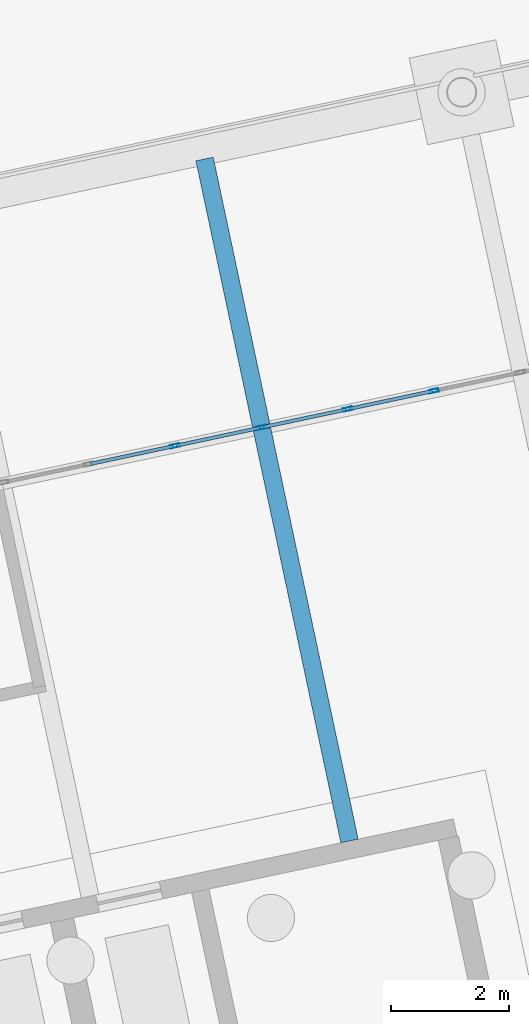
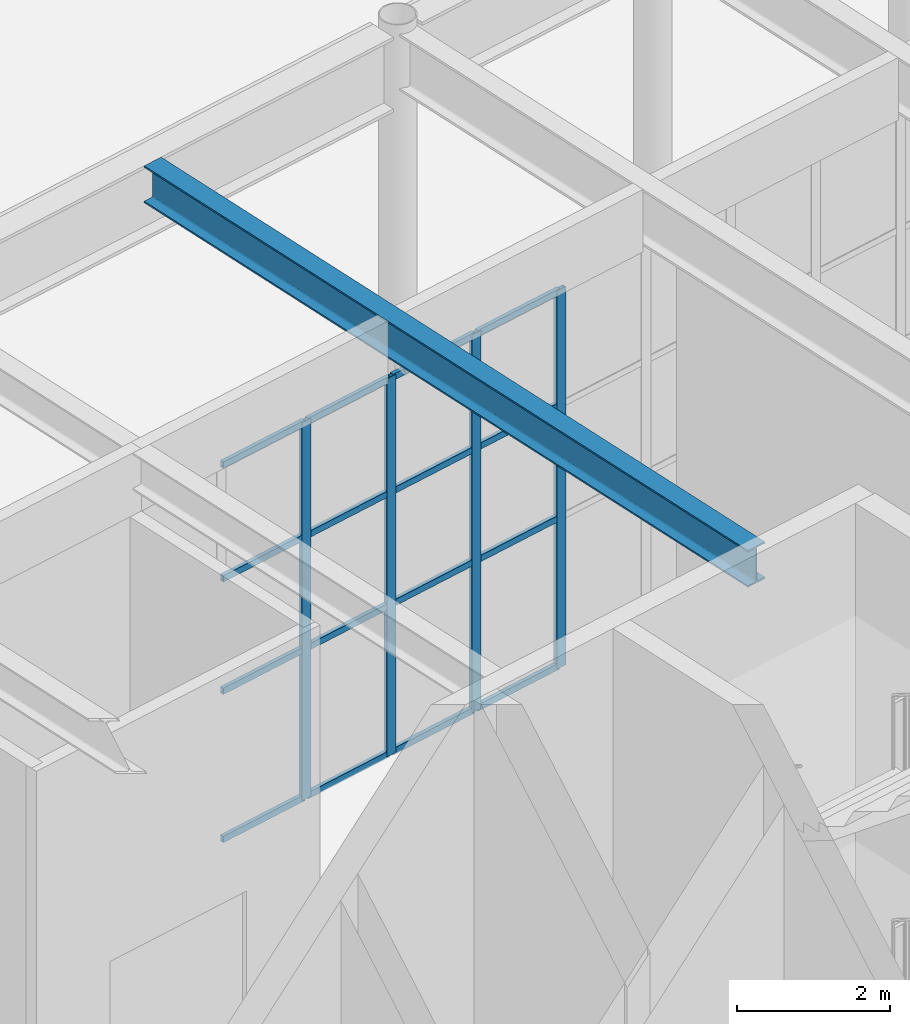
# One storey, part 55 of 239: 20 members, 1 beam, 1 element without a shape of its own.
"""IFC4 building model written with IfcOpenShell, lengths in metres."""

import ifcopenshell
import ifcopenshell.guid

model = None  # the IFC model being written
_history = None  # IfcOwnerHistory: only IFC2X3 demands one
_inside = {}  # id of a spatial element -> (the spatial element, [elements in it])
_under = {}  # id of a project, library or spatial element -> (it, [spatial elements below it])
_declared = {}  # id of a project -> (the project, [libraries it declares])
_typed = {}  # id of a type object -> (the type object, [elements of that type])
_made_of = {}  # id of a material, layer set ... -> (it, [elements and type objects made of it])


def new_model(schema):
    """Start an empty IFC model of exactly this schema.

    Asked for "IFC4X3", IfcOpenShell would pick the latest addendum, in which some entities
    have other attributes; the version numbers below select the first issue.
    IFC2X3 requires an IfcOwnerHistory on every rooted entity: one is made here for all.
    """
    global model, _history
    if schema == "IFC4X3":
        model = ifcopenshell.file(schema_version=(4, 3, 0, 0))
    else:
        model = ifcopenshell.file(schema=schema)
    _inside.clear()
    _under.clear()
    _declared.clear()
    _typed.clear()
    _made_of.clear()
    _history = None
    if model.schema == "IFC2X3":
        org = make("IfcOrganization", Name="unknown")
        user = make(
            "IfcPersonAndOrganization",
            ThePerson=make("IfcPerson", FamilyName="unknown"),
            TheOrganization=org,
        )
        app = make(
            "IfcApplication",
            ApplicationDeveloper=org,
            Version="unknown",
            ApplicationFullName="unknown",
            ApplicationIdentifier="unknown",
        )
        _history = make(
            "IfcOwnerHistory",
            OwningUser=user,
            OwningApplication=app,
            ChangeAction="ADDED",
            CreationDate=0,
        )
    return model


def make(cls, **values):
    """One entity of the class cls with the attributes given. An attribute that is None is left unset."""
    return model.create_entity(
        cls, **{name: value for name, value in values.items() if value is not None}
    )


def rooted(cls, **values):
    """An entity with a GlobalId (a new one), such as an element, a storey or a relation."""
    return make(cls, GlobalId=ifcopenshell.guid.new(), OwnerHistory=_history, **values)


def si_unit(unit_type, name, prefix=None):
    """IfcSIUnit, for example si_unit("LENGTHUNIT", "METRE", prefix="MILLI")."""
    return make("IfcSIUnit", UnitType=unit_type, Prefix=prefix, Name=name)


def assignment(units):
    """IfcUnitAssignment: the units of a project."""
    return None if units is None else make("IfcUnitAssignment", Units=units)


def point(xyz):
    """IfcCartesianPoint."""
    return None if xyz is None else make("IfcCartesianPoint", Coordinates=xyz)


def direction(xyz):
    """IfcDirection."""
    return None if xyz is None else make("IfcDirection", DirectionRatios=xyz)


def frame(location, z_axis=None, x_axis=None):
    """IfcAxis2Placement3D, a coordinate frame: its origin and axes. An axis left out is left unset."""
    return make(
        "IfcAxis2Placement3D",
        Location=point(location),
        Axis=direction(z_axis),
        RefDirection=direction(x_axis),
    )


def frame_2d(location, x_axis=None):
    """IfcAxis2Placement2D, a coordinate frame in the plane: its origin and x axis."""
    return make(
        "IfcAxis2Placement2D", Location=point(location), RefDirection=direction(x_axis)
    )


def origin():
    """The frame at (0, 0, 0) with its axes left unset."""
    return frame((0.0, 0.0, 0.0))


def origin_2d():
    """The frame at (0, 0) in the plane with its x axis left unset."""
    return frame_2d((0.0, 0.0))


def place(relative_to, where):
    """IfcLocalPlacement: puts the frame where relative to a parent placement (None: the world)."""
    return make(
        "IfcLocalPlacement", PlacementRelTo=relative_to, RelativePlacement=where
    )


def context(
    kind, dimensions, precision=None, world=None, true_north=None, identifier=None
):
    """IfcGeometricRepresentationContext, for example the 3D "Model" context."""
    return make(
        "IfcGeometricRepresentationContext",
        ContextIdentifier=identifier,
        ContextType=kind,
        CoordinateSpaceDimension=dimensions,
        Precision=precision,
        WorldCoordinateSystem=world,
        TrueNorth=true_north,
    )


def subcontext(parent, identifier, kind, view, scale=None):
    """IfcGeometricRepresentationSubContext, for example "Body" below "Model"."""
    return make(
        "IfcGeometricRepresentationSubContext",
        ContextIdentifier=identifier,
        ContextType=kind,
        ParentContext=parent,
        TargetScale=scale,
        TargetView=view,
    )


def project(units=None, contexts=None):
    """IfcProject with its units and contexts."""
    return rooted(
        "IfcProject",
        Name="project",
        RepresentationContexts=contexts,
        UnitsInContext=assignment(units),
    )


def spatial(cls, under=None, at=None, **own):
    """A site, building, storey or space (cls), placed at a placement, below another one or the project."""
    s = rooted(cls, ObjectPlacement=at, **own)
    if under is not None:
        _under.setdefault(under.id(), (under, []))[1].append(s)
    return s


def profile(cls, at=None, kind="AREA", **sizes):
    """A parametric profile (cls). Its sizes go by their IFC names, for example OverallWidth=200.0."""
    return make(cls, ProfileType=kind, Position=at, **sizes)


def hollow_rectangle(**sizes):
    """IfcRectangleHollowProfileDef."""
    return profile("IfcRectangleHollowProfileDef", **sizes)


def i_section(**sizes):
    """IfcIShapeProfileDef."""
    return profile("IfcIShapeProfileDef", **sizes)


def extrude(swept, where, along, depth):
    """IfcExtrudedAreaSolid: the profile swept, set in the frame where, extruded along a direction by depth."""
    return make(
        "IfcExtrudedAreaSolid",
        SweptArea=swept,
        Position=where,
        ExtrudedDirection=direction(along),
        Depth=depth,
    )


def shape(context_of_items, identifier, shape_type, items):
    """IfcShapeRepresentation: the items that make up one representation, for example the "Body"."""
    return make(
        "IfcShapeRepresentation",
        ContextOfItems=context_of_items,
        RepresentationIdentifier=identifier,
        RepresentationType=shape_type,
        Items=items,
    )


def material(Name=None, Category=None):
    """IfcMaterial."""
    return make("IfcMaterial", Name=Name, Category=Category)


def material_profile(
    of_material, cross_section, Name=None, Category=None, Priority=None
):
    """IfcMaterialProfile: a cross section and its material."""
    return make(
        "IfcMaterialProfile",
        Name=Name,
        Material=of_material,
        Profile=cross_section,
        Priority=Priority,
        Category=Category,
    )


def profile_set(profiles, Name=None, composite=None):
    """IfcMaterialProfileSet."""
    return make(
        "IfcMaterialProfileSet",
        Name=Name,
        MaterialProfiles=profiles,
        CompositeProfile=composite,
    )


def made_of(thing, what):
    """Note that an element or type object is made of a material, layer set ...; save() writes the relation."""
    if what is not None:
        _made_of.setdefault(what.id(), (what, []))[1].append(thing)
    return thing


def type_object(cls, material=None, **own):
    """A type object (cls), such as IfcWallType, which elements share."""
    return made_of(rooted(cls, **own), material)


def element(
    cls,
    number,
    at=None,
    inside=None,
    cuts=None,
    type_object=None,
    material=None,
    context=None,
    identifier="Body",
    shape_type=None,
    held_by="IfcProductDefinitionShape",
    body=None,
    shapes=None,
    **own,
):
    """One element of the class cls, such as IfcWall. Its Tag is "e" and its number.

    at: its placement. inside: the storey or other place that contains it. cuts: it is an
    opening in that element (IfcRelVoidsElement). A single representation is given by context,
    identifier, shape_type and body (its items); several are given by shapes. held_by: the class
    of the entity that holds the representations. save() writes the other relations.
    """
    e = rooted(cls, Tag="e%d" % number, ObjectPlacement=at, **own)
    if body is not None:
        shapes = [shape(context, identifier, shape_type, body)]
    if shapes is not None:
        e.Representation = make(held_by, Representations=shapes)
    if inside is not None:
        _inside.setdefault(inside.id(), (inside, []))[1].append(e)
    if cuts is not None:
        rooted(
            "IfcRelVoidsElement", RelatingBuildingElement=cuts, RelatedOpeningElement=e
        )
    if type_object is not None:
        _typed.setdefault(type_object.id(), (type_object, []))[1].append(e)
    return made_of(e, material)


def aggregate(whole, parts):
    """IfcRelAggregates: a whole, such as a stair, and the parts it consists of."""
    return rooted("IfcRelAggregates", RelatingObject=whole, RelatedObjects=parts)


def save(model, path):
    """Write the relations noted so far, then the file.

    IfcRelAggregates (storeys below a building ...), IfcRelContainedInSpatialStructure (elements
    in a storey), IfcRelDefinesByType, IfcRelAssociatesMaterial and IfcRelDeclares: one each for
    every whole, place, type object, material and project.
    """
    for whole, parts in _under.values():
        aggregate(whole, parts)
    for where, things in _inside.values():
        rooted(
            "IfcRelContainedInSpatialStructure",
            RelatedElements=things,
            RelatingStructure=where,
        )
    for kind, things in _typed.values():
        rooted("IfcRelDefinesByType", RelatedObjects=things, RelatingType=kind)
    for what, things in _made_of.values():
        rooted("IfcRelAssociatesMaterial", RelatedObjects=things, RelatingMaterial=what)
    for by, libraries in _declared.values():
        rooted("IfcRelDeclares", RelatingContext=by, RelatedDefinitions=libraries)
    model.write(path)


model = new_model("IFC4")

# Units and contexts
model_context = context("Model", 3, precision=1e-05, world=origin(), true_north=direction((0.0, 1.0)))
body_context = subcontext(model_context, "Body", "Model", "MODEL_VIEW")
ifc_project = project(units=[si_unit("LENGTHUNIT", "METRE"), si_unit("AREAUNIT", "SQUARE_METRE"), si_unit("VOLUMEUNIT", "CUBIC_METRE"), si_unit("PLANEANGLEUNIT", "RADIAN"), si_unit("MASSUNIT", "GRAM", prefix="KILO")], contexts=[model_context])

# Site, building, storey
site_placement = place(None, origin())
site = spatial("IfcSite", under=ifc_project, at=site_placement, CompositionType="ELEMENT")
building_placement = place(site_placement, origin())
building = spatial("IfcBuilding", under=site, at=building_placement, Name="Okhra Congress Centre", CompositionType="ELEMENT")
storey_placement = place(building_placement, origin())
storey = spatial("IfcBuildingStorey", under=building, at=storey_placement, Name="L00", CompositionType="ELEMENT", Elevation=0.0)

# Curtain wall, members
ifc_material_1 = material(Name="Aluminium curtain wall, triple glazing", Category="aluminium")
curtain_wall_type = type_object("IfcCurtainWallType", Name="Curtain wall 1500 module", PredefinedType="NOTDEFINED", material=ifc_material_1)
curtain_wall_placement = place(storey_placement, origin())
curtain_wall = element("IfcCurtainWall", 1, at=curtain_wall_placement, inside=storey, type_object=curtain_wall_type, Name="Ground curtain wall N7", PredefinedType="NOTDEFINED")
ifc_material_2 = material(Name="Aluminium alloy EN AW-6063 T66", Category="aluminium")
ifc_material_profile_1 = material_profile(ifc_material_2, hollow_rectangle(XDim=0.06005859375, YDim=0.159912109375, WallThickness=0.00390625, at=origin_2d()), Name="RHS 60x160x4")
ifc_profile_set_1 = profile_set([ifc_material_profile_1], Name="Aluminium alloy EN AW-6063 T66")
member_type_1 = type_object("IfcMemberType", Name="Curtain wall mullion 60x160", PredefinedType="MULLION", material=ifc_profile_set_1)
member_1_placement = place(storey_placement, frame((73.16552734375, 48.965576171875, 0.0), z_axis=(0.0, 0.0, 1.0), x_axis=(-0.207911690818, 0.978147600734, 0.0)))
member_1 = element("IfcMember", 2, at=member_1_placement, type_object=member_type_1, Name="CW7 mullion 3", PredefinedType="MULLION", context=body_context, shape_type="SweptSolid", body=[
    extrude(hollow_rectangle(XDim=0.06005859375, YDim=0.159912109375, WallThickness=0.00390625, at=origin_2d()), origin(), (0.0, 0.0, 1.0), 6.050048828125),
])
member_2_placement = place(storey_placement, frame((74.630615234375, 49.27685546875, 0.0), z_axis=(0.0, 0.0, 1.0), x_axis=(-0.207911690818, 0.978147600734, 0.0)))
member_2 = element("IfcMember", 3, at=member_2_placement, type_object=member_type_1, Name="CW7 mullion 4", PredefinedType="MULLION", context=body_context, shape_type="SweptSolid", body=[
    extrude(hollow_rectangle(XDim=0.06005859375, YDim=0.159912109375, WallThickness=0.00390625, at=origin_2d()), origin(), (0.0, 0.0, 1.0), 6.050048828125),
])
member_3_placement = place(storey_placement, frame((76.095703125, 49.58837890625, 0.0), z_axis=(0.0, 0.0, 1.0), x_axis=(-0.207911690818, 0.978147600734, 0.0)))
member_3 = element("IfcMember", 4, at=member_3_placement, type_object=member_type_1, Name="CW7 mullion 5", PredefinedType="MULLION", context=body_context, shape_type="SweptSolid", body=[
    extrude(hollow_rectangle(XDim=0.06005859375, YDim=0.159912109375, WallThickness=0.00390625, at=origin_2d()), origin(), (0.0, 0.0, 1.0), 6.050048828125),
])
member_4_placement = place(storey_placement, frame((77.560791015625, 49.899658203125, 0.0), z_axis=(0.0, 0.0, 1.0), x_axis=(-0.207911690818, 0.978147600734, 0.0)))
member_4 = element("IfcMember", 5, at=member_4_placement, type_object=member_type_1, Name="CW7 mullion 6", PredefinedType="MULLION", context=body_context, shape_type="SweptSolid", body=[
    extrude(hollow_rectangle(XDim=0.06005859375, YDim=0.159912109375, WallThickness=0.00390625, at=origin_2d()), origin(), (0.0, 0.0, 1.0), 6.050048828125),
])
ifc_material_profile_2 = material_profile(ifc_material_2, hollow_rectangle(XDim=0.06005859375, YDim=0.10009765625, WallThickness=0.00390625, at=origin_2d()), Name="RHS 60x100x4")
ifc_profile_set_2 = profile_set([ifc_material_profile_2], Name="Aluminium alloy EN AW-6063 T66")
member_type_2 = type_object("IfcMemberType", Name="Curtain wall transom 60x100", PredefinedType="USERDEFINED", material=ifc_profile_set_2)
member_5_placement = place(storey_placement, frame((71.72998046875, 48.660400390625, 0.030029296875), z_axis=(0.978158850918, 0.20785875582, 0.0), x_axis=(-0.20785875582, 0.978158850918, 0.0)))
member_5 = element("IfcMember", 6, at=member_5_placement, type_object=member_type_2, Name="CW7 transom 2.1", ObjectType="TRANSOM", PredefinedType="USERDEFINED", context=body_context, shape_type="SweptSolid", body=[
    extrude(hollow_rectangle(XDim=0.06005859375, YDim=0.10009765625, WallThickness=0.00390625, at=origin_2d()), origin(), (0.0, 0.0, 1.0), 1.437744140625),
])
member_6_placement = place(storey_placement, frame((71.72998046875, 48.660400390625, 2.39990234375), z_axis=(0.978158850918, 0.20785875582, 0.0), x_axis=(-0.20785875582, 0.978158850918, 0.0)))
member_6 = element("IfcMember", 7, at=member_6_placement, type_object=member_type_2, Name="CW7 transom 2.2", ObjectType="TRANSOM", PredefinedType="USERDEFINED", context=body_context, shape_type="SweptSolid", body=[
    extrude(hollow_rectangle(XDim=0.06005859375, YDim=0.10009765625, WallThickness=0.00390625, at=origin_2d()), origin(), (0.0, 0.0, 1.0), 1.437744140625),
])
member_7_placement = place(storey_placement, frame((71.72998046875, 48.660400390625, 4.199951171875), z_axis=(0.978158850918, 0.20785875582, 0.0), x_axis=(-0.20785875582, 0.978158850918, 0.0)))
member_7 = element("IfcMember", 8, at=member_7_placement, type_object=member_type_2, Name="CW7 transom 2.3", ObjectType="TRANSOM", PredefinedType="USERDEFINED", context=body_context, shape_type="SweptSolid", body=[
    extrude(hollow_rectangle(XDim=0.06005859375, YDim=0.10009765625, WallThickness=0.00390625, at=origin_2d()), origin(), (0.0, 0.0, 1.0), 1.437744140625),
])
member_8_placement = place(storey_placement, frame((71.72998046875, 48.660400390625, 6.02001953125), z_axis=(0.978158850918, 0.20785875582, 0.0), x_axis=(-0.20785875582, 0.978158850918, 0.0)))
member_8 = element("IfcMember", 9, at=member_8_placement, type_object=member_type_2, Name="CW7 transom 2.4", ObjectType="TRANSOM", PredefinedType="USERDEFINED", context=body_context, shape_type="SweptSolid", body=[
    extrude(hollow_rectangle(XDim=0.06005859375, YDim=0.10009765625, WallThickness=0.00390625, at=origin_2d()), origin(), (0.0, 0.0, 1.0), 1.437744140625),
])
member_9_placement = place(storey_placement, frame((73.195068359375, 48.9716796875, 0.030029296875), z_axis=(0.978124311184, 0.208021229375, 0.0), x_axis=(-0.208021229375, 0.978124311184, 0.0)))
member_9 = element("IfcMember", 10, at=member_9_placement, type_object=member_type_2, Name="CW7 transom 3.1", ObjectType="TRANSOM", PredefinedType="USERDEFINED", context=body_context, shape_type="SweptSolid", body=[
    extrude(hollow_rectangle(XDim=0.06005859375, YDim=0.10009765625, WallThickness=0.00390625, at=origin_2d()), origin(), (0.0, 0.0, 1.0), 1.437744140625),
])
member_10_placement = place(storey_placement, frame((73.195068359375, 48.9716796875, 2.39990234375), z_axis=(0.978124311184, 0.208021229375, 0.0), x_axis=(-0.208021229375, 0.978124311184, 0.0)))
member_10 = element("IfcMember", 11, at=member_10_placement, type_object=member_type_2, Name="CW7 transom 3.2", ObjectType="TRANSOM", PredefinedType="USERDEFINED", context=body_context, shape_type="SweptSolid", body=[
    extrude(hollow_rectangle(XDim=0.06005859375, YDim=0.10009765625, WallThickness=0.00390625, at=origin_2d()), origin(), (0.0, 0.0, 1.0), 1.437744140625),
])
member_11_placement = place(storey_placement, frame((73.195068359375, 48.9716796875, 4.199951171875), z_axis=(0.978124311184, 0.208021229375, 0.0), x_axis=(-0.208021229375, 0.978124311184, 0.0)))
member_11 = element("IfcMember", 12, at=member_11_placement, type_object=member_type_2, Name="CW7 transom 3.3", ObjectType="TRANSOM", PredefinedType="USERDEFINED", context=body_context, shape_type="SweptSolid", body=[
    extrude(hollow_rectangle(XDim=0.06005859375, YDim=0.10009765625, WallThickness=0.00390625, at=origin_2d()), origin(), (0.0, 0.0, 1.0), 1.437744140625),
])
member_12_placement = place(storey_placement, frame((73.195068359375, 48.9716796875, 6.02001953125), z_axis=(0.978124311184, 0.208021229375, 0.0), x_axis=(-0.208021229375, 0.978124311184, 0.0)))
member_12 = element("IfcMember", 13, at=member_12_placement, type_object=member_type_2, Name="CW7 transom 3.4", ObjectType="TRANSOM", PredefinedType="USERDEFINED", context=body_context, shape_type="SweptSolid", body=[
    extrude(hollow_rectangle(XDim=0.06005859375, YDim=0.10009765625, WallThickness=0.00390625, at=origin_2d()), origin(), (0.0, 0.0, 1.0), 1.437744140625),
])
member_13_placement = place(storey_placement, frame((74.659912109375, 49.283203125, 0.030029296875), z_axis=(0.978166186175, 0.207824233966, 0.0), x_axis=(-0.207824233966, 0.978166186175, 0.0)))
member_13 = element("IfcMember", 14, at=member_13_placement, type_object=member_type_2, Name="CW7 transom 4.1", ObjectType="TRANSOM", PredefinedType="USERDEFINED", context=body_context, shape_type="SweptSolid", body=[
    extrude(hollow_rectangle(XDim=0.06005859375, YDim=0.10009765625, WallThickness=0.00390625, at=origin_2d()), origin(), (0.0, 0.0, 1.0), 1.43798828125),
])
member_14_placement = place(storey_placement, frame((74.659912109375, 49.283203125, 2.39990234375), z_axis=(0.978166186175, 0.207824233966, 0.0), x_axis=(-0.207824233966, 0.978166186175, 0.0)))
member_14 = element("IfcMember", 15, at=member_14_placement, type_object=member_type_2, Name="CW7 transom 4.2", ObjectType="TRANSOM", PredefinedType="USERDEFINED", context=body_context, shape_type="SweptSolid", body=[
    extrude(hollow_rectangle(XDim=0.06005859375, YDim=0.10009765625, WallThickness=0.00390625, at=origin_2d()), origin(), (0.0, 0.0, 1.0), 1.43798828125),
])
member_15_placement = place(storey_placement, frame((74.659912109375, 49.283203125, 4.199951171875), z_axis=(0.978166186175, 0.207824233966, 0.0), x_axis=(-0.207824233966, 0.978166186175, 0.0)))
member_15 = element("IfcMember", 16, at=member_15_placement, type_object=member_type_2, Name="CW7 transom 4.3", ObjectType="TRANSOM", PredefinedType="USERDEFINED", context=body_context, shape_type="SweptSolid", body=[
    extrude(hollow_rectangle(XDim=0.06005859375, YDim=0.10009765625, WallThickness=0.00390625, at=origin_2d()), origin(), (0.0, 0.0, 1.0), 1.43798828125),
])
member_16_placement = place(storey_placement, frame((74.659912109375, 49.283203125, 6.02001953125), z_axis=(0.978166186175, 0.207824233966, 0.0), x_axis=(-0.207824233966, 0.978166186175, 0.0)))
member_16 = element("IfcMember", 17, at=member_16_placement, type_object=member_type_2, Name="CW7 transom 4.4", ObjectType="TRANSOM", PredefinedType="USERDEFINED", context=body_context, shape_type="SweptSolid", body=[
    extrude(hollow_rectangle(XDim=0.06005859375, YDim=0.10009765625, WallThickness=0.00390625, at=origin_2d()), origin(), (0.0, 0.0, 1.0), 1.43798828125),
])
member_17_placement = place(storey_placement, frame((76.125, 49.594482421875, 0.030029296875), z_axis=(0.978131657654, 0.207986682976, 0.0), x_axis=(-0.207986682976, 0.978131657654, 0.0)))
member_17 = element("IfcMember", 18, at=member_17_placement, type_object=member_type_2, Name="CW7 transom 5.1", ObjectType="TRANSOM", PredefinedType="USERDEFINED", context=body_context, shape_type="SweptSolid", body=[
    extrude(hollow_rectangle(XDim=0.06005859375, YDim=0.10009765625, WallThickness=0.00390625, at=origin_2d()), origin(), (0.0, 0.0, 1.0), 1.43798828125),
])
member_18_placement = place(storey_placement, frame((76.125, 49.594482421875, 2.39990234375), z_axis=(0.978131657654, 0.207986682976, 0.0), x_axis=(-0.207986682976, 0.978131657654, 0.0)))
member_18 = element("IfcMember", 19, at=member_18_placement, type_object=member_type_2, Name="CW7 transom 5.2", ObjectType="TRANSOM", PredefinedType="USERDEFINED", context=body_context, shape_type="SweptSolid", body=[
    extrude(hollow_rectangle(XDim=0.06005859375, YDim=0.10009765625, WallThickness=0.00390625, at=origin_2d()), origin(), (0.0, 0.0, 1.0), 1.43798828125),
])
member_19_placement = place(storey_placement, frame((76.125, 49.594482421875, 4.199951171875), z_axis=(0.978131657654, 0.207986682976, 0.0), x_axis=(-0.207986682976, 0.978131657654, 0.0)))
member_19 = element("IfcMember", 20, at=member_19_placement, type_object=member_type_2, Name="CW7 transom 5.3", ObjectType="TRANSOM", PredefinedType="USERDEFINED", context=body_context, shape_type="SweptSolid", body=[
    extrude(hollow_rectangle(XDim=0.06005859375, YDim=0.10009765625, WallThickness=0.00390625, at=origin_2d()), origin(), (0.0, 0.0, 1.0), 1.43798828125),
])
member_20_placement = place(storey_placement, frame((76.125, 49.594482421875, 6.02001953125), z_axis=(0.978131657654, 0.207986682976, 0.0), x_axis=(-0.207986682976, 0.978131657654, 0.0)))
member_20 = element("IfcMember", 21, at=member_20_placement, type_object=member_type_2, Name="CW7 transom 5.4", ObjectType="TRANSOM", PredefinedType="USERDEFINED", context=body_context, shape_type="SweptSolid", body=[
    extrude(hollow_rectangle(XDim=0.06005859375, YDim=0.10009765625, WallThickness=0.00390625, at=origin_2d()), origin(), (0.0, 0.0, 1.0), 1.43798828125),
])
aggregate(curtain_wall, [member_1, member_2, member_3, member_4, member_5, member_6, member_7, member_8, member_9, member_10, member_11, member_12, member_13, member_14, member_15, member_16, member_17, member_18, member_19, member_20])

# Beam
ifc_material_3 = material(Name="Steel S355J2", Category="steel")
ifc_material_profile_3 = material_profile(ifc_material_3, i_section(OverallWidth=0.300048828125, OverallDepth=0.590087890625, WebThickness=0.012939453125, FlangeThickness=0.02490234375, FilletRadius=0.027099609375, at=origin_2d()), Name="HE 600 A")
ifc_profile_set_3 = profile_set([ifc_material_profile_3], Name="Steel S355J2")
beam_type = type_object("IfcBeamType", Name="Floor beam HE 600 A", PredefinedType="BEAM", material=ifc_profile_set_3)
beam_placement = place(storey_placement, frame((76.1279296875, 42.264892578125, 6.7548828125), z_axis=(-0.207905918374, 0.978148827687, 0.0), x_axis=(-0.978148827687, -0.207905918374, 0.0)))
element("IfcBeam", 22, at=beam_placement, inside=storey, type_object=beam_type, Name="Floor beam 4.2", PredefinedType="BEAM", context=body_context, shape_type="SweptSolid", body=[
    extrude(i_section(OverallWidth=0.300048828125, OverallDepth=0.590087890625, WebThickness=0.012939453125, FlangeThickness=0.02490234375, FilletRadius=0.027099609375, at=origin_2d()), origin(), (0.0, 0.0, 1.0), 11.824951171875),
])

save(model, "model.ifc")
